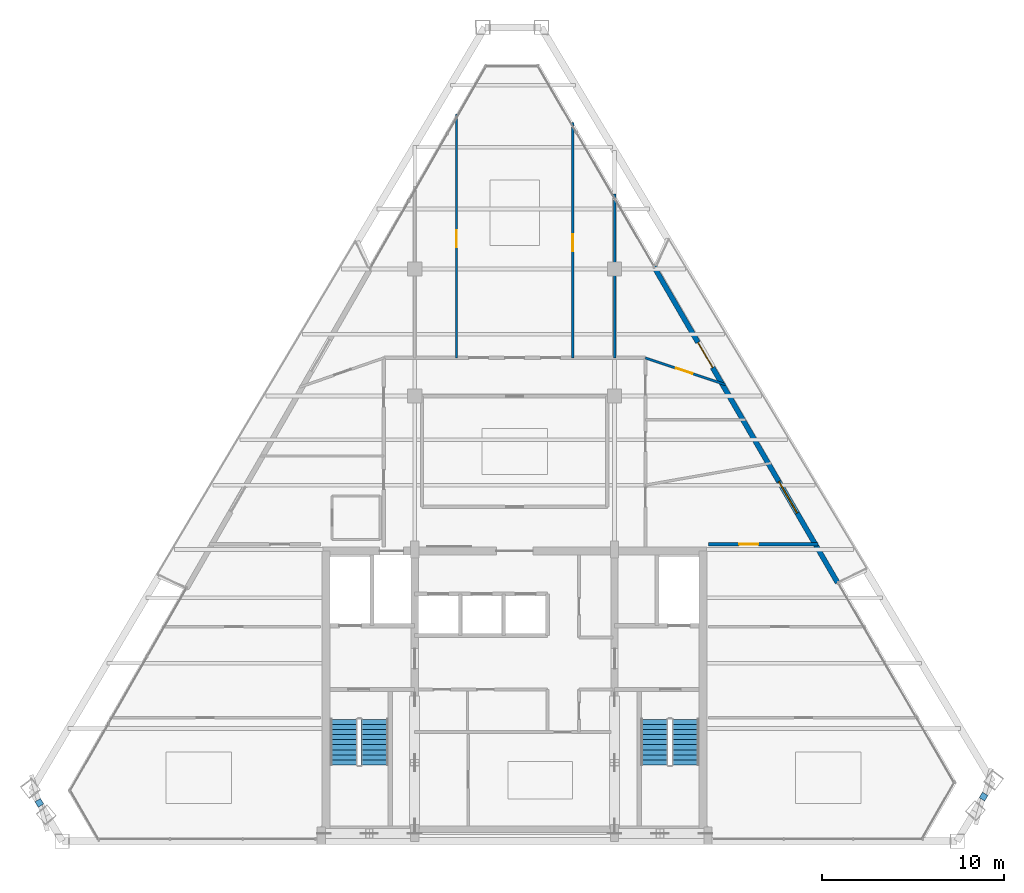
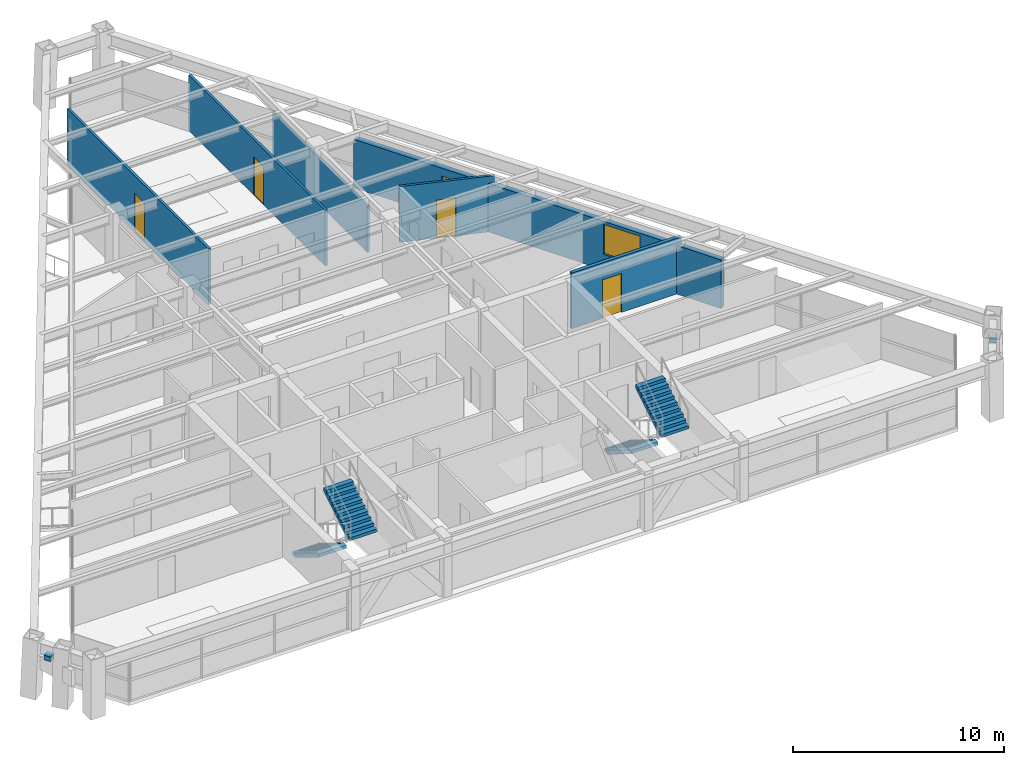
# One storey, part 11 of 13: 6 walls, 5 doors, 4 stair flights, 2 discrete accessories, 1 window, 6 openings, 2 elements without a shape of their own.
"""IFC4 building model written with IfcOpenShell, lengths in metres."""

from ifc_helpers import new_model, si_unit, direction, frame, frame_2d, origin, origin_2d, place, context, subcontext, project, spatial, polyline, rectangle, outline, extrude, source, transform, mapped, material, layer, layer_set, type_object, type_shapes, element, fill, aggregate, save


model = new_model("IFC4")

# Units and contexts
model_context = context("Model", 3, precision=1e-05, world=origin(), true_north=direction((0.0, 1.0)))
body_context = subcontext(model_context, "Body", "Model", "MODEL_VIEW")
ifc_project = project(units=[si_unit("LENGTHUNIT", "METRE"), si_unit("AREAUNIT", "SQUARE_METRE"), si_unit("VOLUMEUNIT", "CUBIC_METRE"), si_unit("PLANEANGLEUNIT", "RADIAN"), si_unit("MASSUNIT", "GRAM", prefix="KILO")], contexts=[model_context])

# Site, building, storey
site_placement = place(None, origin())
site = spatial("IfcSite", under=ifc_project, at=site_placement, CompositionType="ELEMENT")
building_placement = place(site_placement, origin())
building = spatial("IfcBuilding", under=site, at=building_placement, Name="Varnakhor Terracotta Tower", CompositionType="ELEMENT")
storey_placement = place(building_placement, frame((0.0, 0.0, 290.25)))
storey = spatial("IfcBuildingStorey", under=building, at=storey_placement, Name="L76", CompositionType="ELEMENT", Elevation=290.25)

# Wall, opening, door
ifc_material_1 = material(Name="Fire-Rated Gypsum Stud Partition", Category="gypsum")
ifc_layer_1 = layer(ifc_material_1, 0.18505859375, Name="Fire-Rated Gypsum Stud Partition")
ifc_layer_set_1 = layer_set([ifc_layer_1], Name="Fire-Rated Gypsum Stud Partition")
wall_type_1 = type_object("IfcWallType", Name="WAL-CORR-185", PredefinedType="PARTITIONING", material=ifc_layer_set_1)
wall_1_placement = place(storey_placement, frame((10.679931640625, 16.35009765625, 0.0), z_axis=(0.0, 0.0, 1.0), x_axis=(1.0, 0.0, 0.0)))
wall_1 = element("IfcWall", 1, at=wall_1_placement, inside=storey, type_object=wall_type_1, Name="L76 South East Guest Entry Wall", PredefinedType="PARTITIONING", context=body_context, shape_type="SweptSolid", body=[
    extrude(rectangle(XDim=6.012939453125, YDim=0.18505859375, at=frame_2d((3.00634765625, 0.0))), origin(), (0.0, 0.0, 1.0), 3.23193359375),
])
opening_1_placement = place(wall_1_placement, frame((1.681396484375, 0.0, 0.0)))
opening_1 = element("IfcOpeningElement", 2, at=opening_1_placement, cuts=wall_1, Name="Opening DR-95", PredefinedType="OPENING", context=body_context, shape_type="SweptSolid", body=[
    extrude(rectangle(XDim=1.050048828125, YDim=2.25, at=frame_2d((0.52490234375, 1.125))), frame((0.0, 0.1025390625, 0.0), z_axis=(0.0, -1.0, 0.0), x_axis=(1.0, 0.0, 0.0)), (0.0, 0.0, 1.0), 0.205078125),
])
ifc_material_2 = material(Name="Solid-Core Timber Tenant/Hotel Entrance Door", Category="wood")
door_type_1 = type_object("IfcDoorType", Name="DR-SUITE-1050X2250", OperationType="NOTDEFINED", PredefinedType="DOOR", material=ifc_material_2)
shared_shape_1 = source(origin(), body_context, "Body", "SweptSolid", [
    extrude(rectangle(XDim=1.050048828125, YDim=2.25, at=frame_2d((0.52490234375, 1.125))), frame((0.0, 0.02490234375, 0.0), z_axis=(0.0, -1.0, 0.0), x_axis=(1.0, 0.0, 0.0)), (0.0, 0.0, 1.0), 0.050048828125),
])
type_shapes(door_type_1, [shared_shape_1])
door_1_placement = place(opening_1_placement, origin())
door_1 = element("IfcDoor", 3, at=door_1_placement, inside=storey, type_object=door_type_1, Name="L76 SE Suite Entry Door", OperationType="SINGLE_SWING_RIGHT", OverallHeight=2.25, OverallWidth=1.050048828125, PredefinedType="DOOR", context=body_context, shape_type="MappedRepresentation", body=[
    mapped(shared_shape_1, transform((0.0, 0.0, 0.0), scale=1.0)),
])
fill(opening_1, door_1)

# Wall, openings, door, window
ifc_material_3 = material(Name="Extruded Architectural Terracotta Assembly", Category="masonry")
ifc_layer_2 = layer(ifc_material_3, 0.280029296875, Name="Extruded Architectural Terracotta Assembly")
ifc_layer_set_2 = layer_set([ifc_layer_2], Name="Extruded Architectural Terracotta Assembly")
wall_type_2 = type_object("IfcWallType", Name="WAL-EXT-TERRACOTTA-280", PredefinedType="SOLIDWALL", material=ifc_layer_set_2)
wall_2_placement = place(storey_placement, frame((7.66650390625, 31.624267578125, 0.0), z_axis=(0.0, 0.0, 1.0), x_axis=(0.5024293772, -0.864618251558, 0.0)))
wall_2 = element("IfcWall", 4, at=wall_2_placement, inside=storey, type_object=wall_type_2, Name="L76 E Loggia Insulated Terracotta Wall", PredefinedType="SOLIDWALL", context=body_context, shape_type="SweptSolid", body=[
    extrude(rectangle(XDim=20.12109375, YDim=0.280029296875, at=frame_2d((10.060546875, 0.0))), origin(), (0.0, 0.0, 1.0), 2.820068359375),
])
opening_2_placement = place(wall_2_placement, frame((4.8291015625, 0.0, 0.0)))
opening_2 = element("IfcOpeningElement", 5, at=opening_2_placement, cuts=wall_2, Name="Opening DR-62", PredefinedType="OPENING", context=body_context, shape_type="SweptSolid", body=[
    extrude(rectangle(XDim=1.60009765625, YDim=2.35009765625, at=frame_2d((0.800048828125, 1.175048828125))), frame((0.0, 0.14990234375, 0.0), z_axis=(0.0, -1.0, 0.0), x_axis=(1.0, 0.0, 0.0)), (0.0, 0.0, 1.0), 0.300048828125),
])
opening_3_placement = place(wall_2_placement, frame((13.68212890625, 0.0, 0.89990234375)))
opening_3 = element("IfcOpeningElement", 6, at=opening_3_placement, cuts=wall_2, Name="Opening WN-63", PredefinedType="OPENING", context=body_context, shape_type="SweptSolid", body=[
    extrude(rectangle(XDim=2.0, YDim=1.75, at=frame_2d((1.0, 0.875))), frame((0.0, 0.14990234375, 0.0), z_axis=(0.0, -1.0, 0.0), x_axis=(1.0, 0.0, 0.0)), (0.0, 0.0, 1.0), 0.300048828125),
])
ifc_material_4 = material(Name="Thermally Broken Sliding Glass Loggia Door", Category="glass")
door_type_2 = type_object("IfcDoorType", Name="DR-EXT-LOGGIA-1600X2350", OperationType="NOTDEFINED", PredefinedType="DOOR", material=ifc_material_4)
shared_shape_2 = source(origin(), body_context, "Body", "SweptSolid", [
    extrude(rectangle(XDim=1.60009765625, YDim=2.35009765625, at=frame_2d((0.800048828125, 1.175048828125))), frame((0.0, 0.02490234375, 0.0), z_axis=(0.0, -1.0, 0.0), x_axis=(1.0, 0.0, 0.0)), (0.0, 0.0, 1.0), 0.050048828125),
])
type_shapes(door_type_2, [shared_shape_2])
door_2_placement = place(opening_2_placement, origin())
door_2 = element("IfcDoor", 7, at=door_2_placement, inside=storey, type_object=door_type_2, Name="L76 E Recessed Loggia Sliding Door", OperationType="SLIDING_TO_RIGHT", OverallHeight=2.35009765625, OverallWidth=1.60009765625, PredefinedType="DOOR", context=body_context, shape_type="MappedRepresentation", body=[
    mapped(shared_shape_2, transform((0.0, 0.0, 0.0), scale=1.0)),
])
fill(opening_2, door_2)
ifc_material_5 = material(Name="Solar-Control Low-E Insulated Glass Unit", Category="glass")
window_type = type_object("IfcWindowType", Name="WIN-HTL-2000X1950", PartitioningType="SINGLE_PANEL", PredefinedType="WINDOW", material=ifc_material_5)
shared_shape_3 = source(origin(), body_context, "Body", "SweptSolid", [
    extrude(rectangle(XDim=2.0, YDim=1.75, at=frame_2d((1.0, 0.875))), frame((0.0, 0.030029296875, 0.0), z_axis=(0.0, -1.0, 0.0), x_axis=(1.0, 0.0, 0.0)), (0.0, 0.0, 1.0), 0.06005859375),
])
type_shapes(window_type, [shared_shape_3])
window_placement = place(opening_3_placement, origin())
window = element("IfcWindow", 8, at=window_placement, inside=storey, type_object=window_type, Name="L76 E Facet Punched Window", OverallHeight=1.75, OverallWidth=2.0, PartitioningType="SINGLE_PANEL", PredefinedType="WINDOW", context=body_context, shape_type="MappedRepresentation", body=[
    mapped(shared_shape_3, transform((0.0, 0.0, 0.0), scale=1.0)),
])
fill(opening_3, window)

# Wall, opening, door
ifc_material_6 = material(Name="Acoustic Hotel Room Partition", Category="gypsum")
ifc_layer_3 = layer(ifc_material_6, 0.1298828125, Name="Acoustic Hotel Room Partition")
ifc_layer_set_3 = layer_set([ifc_layer_3], Name="Acoustic Hotel Room Partition")
wall_type_3 = type_object("IfcWallType", Name="WAL-PART-130", PredefinedType="PARTITIONING", material=ifc_layer_set_3)
wall_3_placement = place(storey_placement, frame((7.199951171875, 26.60009765625, 0.0), z_axis=(0.0, 0.0, 1.0), x_axis=(0.948614646457, -0.316433646328, 0.0)))
wall_3 = element("IfcWall", 9, at=wall_3_placement, inside=storey, type_object=wall_type_3, Name="L76 North East Suite South Wall", PredefinedType="PARTITIONING", context=body_context, shape_type="SweptSolid", body=[
    extrude(rectangle(XDim=4.62451171875, YDim=0.1298828125, at=frame_2d((2.312255859375, 0.0))), origin(), (0.0, 0.0, 1.0), 3.23193359375),
])
opening_4_placement = place(wall_3_placement, frame((1.77490234375, 0.0, 0.0)))
opening_4 = element("IfcOpeningElement", 10, at=opening_4_placement, cuts=wall_3, Name="Opening DR-94", PredefinedType="OPENING", context=body_context, shape_type="SweptSolid", body=[
    extrude(rectangle(XDim=0.949951171875, YDim=2.199951171875, at=frame_2d((0.47509765625, 1.10009765625))), frame((0.0, 0.074951171875, 0.0), z_axis=(0.0, -1.0, 0.0), x_axis=(1.0, 0.0, 0.0)), (0.0, 0.0, 1.0), 0.14990234375),
])
ifc_material_7 = material(Name="Acoustic Glazed-Vision Timber Office Door", Category="wood")
door_type_3 = type_object("IfcDoorType", Name="DR-OFF-950X2200", OperationType="NOTDEFINED", PredefinedType="DOOR", material=ifc_material_7)
shared_shape_4 = source(origin(), body_context, "Body", "SweptSolid", [
    extrude(rectangle(XDim=0.949951171875, YDim=2.199951171875, at=frame_2d((0.47509765625, 1.10009765625))), frame((0.0, 0.02490234375, 0.0), z_axis=(0.0, -1.0, 0.0), x_axis=(1.0, 0.0, 0.0)), (0.0, 0.0, 1.0), 0.050048828125),
])
type_shapes(door_type_3, [shared_shape_4])
door_3_placement = place(opening_4_placement, origin())
door_3 = element("IfcDoor", 11, at=door_3_placement, inside=storey, type_object=door_type_3, Name="L76 Hearing Registry Office NE Door", OperationType="SINGLE_SWING_RIGHT", OverallHeight=2.199951171875, OverallWidth=0.949951171875, PredefinedType="DOOR", context=body_context, shape_type="MappedRepresentation", body=[
    mapped(shared_shape_4, transform((0.0, 0.0, 0.0), scale=1.0)),
])
fill(opening_4, door_3)

# Wall
wall_4_placement = place(storey_placement, frame((5.5, 26.60009765625, 0.0), z_axis=(0.0, 0.0, 1.0), x_axis=(0.0, 1.0, 0.0)))
element("IfcWall", 12, at=wall_4_placement, inside=storey, type_object=wall_type_3, Name="L76 North East Column Wall", PredefinedType="PARTITIONING", context=body_context, shape_type="SweptSolid", body=[
    extrude(rectangle(XDim=9.01123046875, YDim=0.1298828125, at=frame_2d((4.505615234375, 0.0))), origin(), (0.0, 0.0, 1.0), 2.68310546875),
])

# Wall, opening, door
wall_5_placement = place(storey_placement, frame((-3.199951171875, 26.60009765625, 0.0), z_axis=(0.0, 0.0, 1.0), x_axis=(0.0, 1.0, 0.0)))
wall_5 = element("IfcWall", 13, at=wall_5_placement, inside=storey, type_object=wall_type_3, Name="L76 North Suite Split 1", PredefinedType="PARTITIONING", context=body_context, shape_type="SweptSolid", body=[
    extrude(rectangle(XDim=13.43505859375, YDim=0.1298828125, at=frame_2d((6.717529296875, 0.0))), origin(), (0.0, 0.0, 1.0), 3.23193359375),
])
opening_5_placement = place(wall_5_placement, frame((6.089111328125, 0.0, 0.0)))
opening_5 = element("IfcOpeningElement", 14, at=opening_5_placement, cuts=wall_5, Name="Opening DR-94", PredefinedType="OPENING", context=body_context, shape_type="SweptSolid", body=[
    extrude(rectangle(XDim=0.949951171875, YDim=2.199951171875, at=frame_2d((0.47509765625, 1.10009765625))), frame((0.0, 0.074951171875, 0.0), z_axis=(0.0, -1.0, 0.0), x_axis=(1.0, 0.0, 0.0)), (0.0, 0.0, 1.0), 0.14990234375),
])
door_4_placement = place(opening_5_placement, origin())
door_4 = element("IfcDoor", 15, at=door_4_placement, inside=storey, type_object=door_type_3, Name="L76 Wellness Yoga Gym 12 Door", OperationType="SINGLE_SWING_LEFT", OverallHeight=2.199951171875, OverallWidth=0.949951171875, PredefinedType="DOOR", context=body_context, shape_type="MappedRepresentation", body=[
    mapped(shared_shape_4, transform((0.0, 0.0, 0.0), scale=1.0)),
])
fill(opening_5, door_4)

wall_6_placement = place(storey_placement, frame((3.199951171875, 26.60009765625, 0.0), z_axis=(0.0, 0.0, 1.0), x_axis=(0.0, 1.0, 0.0)))
wall_6 = element("IfcWall", 16, at=wall_6_placement, inside=storey, type_object=wall_type_3, Name="L76 North Suite Split 2", PredefinedType="PARTITIONING", context=body_context, shape_type="SweptSolid", body=[
    extrude(rectangle(XDim=12.96923828125, YDim=0.1298828125, at=frame_2d((6.484619140625, 0.0))), origin(), (0.0, 0.0, 1.0), 3.23193359375),
])
opening_6_placement = place(wall_6_placement, frame((5.859619140625, 0.0, 0.0)))
opening_6 = element("IfcOpeningElement", 17, at=opening_6_placement, cuts=wall_6, Name="Opening DR-94", PredefinedType="OPENING", context=body_context, shape_type="SweptSolid", body=[
    extrude(rectangle(XDim=0.949951171875, YDim=2.199951171875, at=frame_2d((0.47509765625, 1.10009765625))), frame((0.0, 0.074951171875, 0.0), z_axis=(0.0, -1.0, 0.0), x_axis=(1.0, 0.0, 0.0)), (0.0, 0.0, 1.0), 0.14990234375),
])
door_5_placement = place(opening_6_placement, origin())
door_5 = element("IfcDoor", 18, at=door_5_placement, inside=storey, type_object=door_type_3, Name="L76 Hearing Registry Office 11 Door", OperationType="SINGLE_SWING_RIGHT", OverallHeight=2.199951171875, OverallWidth=0.949951171875, PredefinedType="DOOR", context=body_context, shape_type="MappedRepresentation", body=[
    mapped(shared_shape_4, transform((0.0, 0.0, 0.0), scale=1.0)),
])
fill(opening_6, door_5)

# Stair, stair flights
ifc_material_8 = material(Name="Concrete C40/50", Category="concrete")
stair_type = type_object("IfcStairType", Name="STR-CORE-HOTEL-1500", PredefinedType="HALF_TURN_STAIR", material=ifc_material_8)
stair_1_placement = place(storey_placement, origin())
stair_1 = element("IfcStair", 19, at=stair_1_placement, inside=storey, type_object=stair_type, Name="L76 Core Exit Stair ST-1", PredefinedType="HALF_TURN_STAIR")
stair_flight_type = type_object("IfcStairFlightType", Name="FLT-HOTEL-1500", PredefinedType="STRAIGHT", material=ifc_material_8)
stair_flight_1_placement = place(storey_placement, frame((-9.39990234375, 6.7099609375, 0.0), z_axis=(0.0, 0.0, 1.0), x_axis=(0.0, -1.0, 0.0)))
stair_flight_1 = element("IfcStairFlight", 20, at=stair_flight_1_placement, type_object=stair_flight_type, Name="ST-1 flight 1", NumberOfRisers=10, NumberOfTreads=9, PredefinedType="STRAIGHT", RiserHeight=0.1725, TreadLength=0.28, context=body_context, shape_type="SweptSolid", body=[
    extrude(outline(polyline([(0.0, 0.0), (0.0, 0.172607421875), (0.280029296875, 0.172607421875), (0.280029296875, 0.344970703125), (0.56005859375, 0.344970703125), (0.56005859375, 0.517578125), (0.840087890625, 0.517578125), (0.840087890625, 0.68994140625), (1.1201171875, 0.68994140625), (1.1201171875, 0.862548828125), (1.39990234375, 0.862548828125), (1.39990234375, 1.034912109375), (1.679931640625, 1.034912109375), (1.679931640625, 1.20751953125), (1.9599609375, 1.20751953125), (1.9599609375, 1.3798828125), (2.239990234375, 1.3798828125), (2.239990234375, 1.552490234375), (2.52001953125, 1.552490234375), (2.52001953125, 1.72509765625), (2.52001953125, 1.36474609375), (0.304931640625, 0.0), (0.0, 0.0)])), frame((0.0, 0.75, 0.0), z_axis=(0.0, -1.0, 0.0), x_axis=(1.0, 0.0, 0.0)), (0.0, 0.0, 1.0), 1.5),
])
stair_flight_2_placement = place(storey_placement, frame((-7.699951171875, 4.18994140625, 1.72509765625), z_axis=(0.0, 0.0, 1.0), x_axis=(0.0, 1.0, 0.0)))
stair_flight_2 = element("IfcStairFlight", 21, at=stair_flight_2_placement, type_object=stair_flight_type, Name="ST-1 flight 2", NumberOfRisers=10, NumberOfTreads=9, PredefinedType="STRAIGHT", RiserHeight=0.1725, TreadLength=0.28, context=body_context, shape_type="SweptSolid", body=[
    extrude(outline(polyline([(0.0, 0.0), (0.0, 0.172607421875), (0.280029296875, 0.172607421875), (0.280029296875, 0.344970703125), (0.56005859375, 0.344970703125), (0.56005859375, 0.517578125), (0.840087890625, 0.517578125), (0.840087890625, 0.68994140625), (1.1201171875, 0.68994140625), (1.1201171875, 0.862548828125), (1.39990234375, 0.862548828125), (1.39990234375, 1.034912109375), (1.679931640625, 1.034912109375), (1.679931640625, 1.20751953125), (1.9599609375, 1.20751953125), (1.9599609375, 1.3798828125), (2.239990234375, 1.3798828125), (2.239990234375, 1.552490234375), (2.52001953125, 1.552490234375), (2.52001953125, 1.72509765625), (2.52001953125, 1.36474609375), (0.304931640625, 0.0), (0.0, 0.0)])), frame((0.0, 0.75, 0.0), z_axis=(0.0, -1.0, 0.0), x_axis=(1.0, 0.0, 0.0)), (0.0, 0.0, 1.0), 1.5),
])
aggregate(stair_1, [stair_flight_1, stair_flight_2])

stair_2_placement = place(storey_placement, origin())
stair_2 = element("IfcStair", 22, at=stair_2_placement, inside=storey, type_object=stair_type, Name="L76 Core Exit Stair ST-2", PredefinedType="HALF_TURN_STAIR")
stair_flight_3_placement = place(storey_placement, frame((7.699951171875, 6.7099609375, 0.0), z_axis=(0.0, 0.0, 1.0), x_axis=(0.0, -1.0, 0.0)))
stair_flight_3 = element("IfcStairFlight", 23, at=stair_flight_3_placement, type_object=stair_flight_type, Name="ST-2 flight 1", NumberOfRisers=10, NumberOfTreads=9, PredefinedType="STRAIGHT", RiserHeight=0.1725, TreadLength=0.28, context=body_context, shape_type="SweptSolid", body=[
    extrude(outline(polyline([(0.0, 0.0), (0.0, 0.172607421875), (0.280029296875, 0.172607421875), (0.280029296875, 0.344970703125), (0.56005859375, 0.344970703125), (0.56005859375, 0.517578125), (0.840087890625, 0.517578125), (0.840087890625, 0.68994140625), (1.1201171875, 0.68994140625), (1.1201171875, 0.862548828125), (1.39990234375, 0.862548828125), (1.39990234375, 1.034912109375), (1.679931640625, 1.034912109375), (1.679931640625, 1.20751953125), (1.9599609375, 1.20751953125), (1.9599609375, 1.3798828125), (2.239990234375, 1.3798828125), (2.239990234375, 1.552490234375), (2.52001953125, 1.552490234375), (2.52001953125, 1.72509765625), (2.52001953125, 1.36474609375), (0.304931640625, 0.0), (0.0, 0.0)])), frame((0.0, 0.75, 0.0), z_axis=(0.0, -1.0, 0.0), x_axis=(1.0, 0.0, 0.0)), (0.0, 0.0, 1.0), 1.5),
])
stair_flight_4_placement = place(storey_placement, frame((9.39990234375, 4.18994140625, 1.72509765625), z_axis=(0.0, 0.0, 1.0), x_axis=(0.0, 1.0, 0.0)))
stair_flight_4 = element("IfcStairFlight", 24, at=stair_flight_4_placement, type_object=stair_flight_type, Name="ST-2 flight 2", NumberOfRisers=10, NumberOfTreads=9, PredefinedType="STRAIGHT", RiserHeight=0.1725, TreadLength=0.28, context=body_context, shape_type="SweptSolid", body=[
    extrude(outline(polyline([(0.0, 0.0), (0.0, 0.172607421875), (0.280029296875, 0.172607421875), (0.280029296875, 0.344970703125), (0.56005859375, 0.344970703125), (0.56005859375, 0.517578125), (0.840087890625, 0.517578125), (0.840087890625, 0.68994140625), (1.1201171875, 0.68994140625), (1.1201171875, 0.862548828125), (1.39990234375, 0.862548828125), (1.39990234375, 1.034912109375), (1.679931640625, 1.034912109375), (1.679931640625, 1.20751953125), (1.9599609375, 1.20751953125), (1.9599609375, 1.3798828125), (2.239990234375, 1.3798828125), (2.239990234375, 1.552490234375), (2.52001953125, 1.552490234375), (2.52001953125, 1.72509765625), (2.52001953125, 1.36474609375), (0.304931640625, 0.0), (0.0, 0.0)])), frame((0.0, 0.75, 0.0), z_axis=(0.0, -1.0, 0.0), x_axis=(1.0, 0.0, 0.0)), (0.0, 0.0, 1.0), 1.5),
])
aggregate(stair_2, [stair_flight_3, stair_flight_4])

# Discrete accessories
ifc_material_9 = material(Name="Stainless Steel Fixing Bracket", Category="steel")
discrete_accessory_type = type_object("IfcDiscreteAccessoryType", Name="BRACKET-TERRACOTTA-SCREEN", PredefinedType="BRACKET", material=ifc_material_9)
shared_shape_5 = source(origin(), body_context, "Body", "SweptSolid", [
    extrude(rectangle(XDim=0.35009765625, YDim=0.35009765625, at=origin_2d()), origin(), (0.0, 0.0, 1.0), 0.280029296875),
])
type_shapes(discrete_accessory_type, [shared_shape_5])
for number, where, z_axis, x_axis, name in (
    (25, (25.80810546875, 2.455810546875, 2.3369140625), (0.0, 0.0, 1.0), (0.510692982667, 0.859763151952, 0.0), "L76 E Screen Fixing Bracket"),
    (26, (-26.1611328125, 2.1103515625, 2.3369140625), (0.0, 0.0, 1.0), (0.513466369814, -0.858109717385, 0.0), "L76 W Screen Fixing Bracket"),
):
    element("IfcDiscreteAccessory", number, at=place(storey_placement, frame(where, z_axis=z_axis, x_axis=x_axis)), inside=storey, type_object=discrete_accessory_type, Name=name, PredefinedType="BRACKET", context=body_context, shape_type="MappedRepresentation", body=[
        mapped(shared_shape_5, transform((0.0, 0.0, 0.0), scale=1.0)),
    ])

save(model, "model.ifc")
